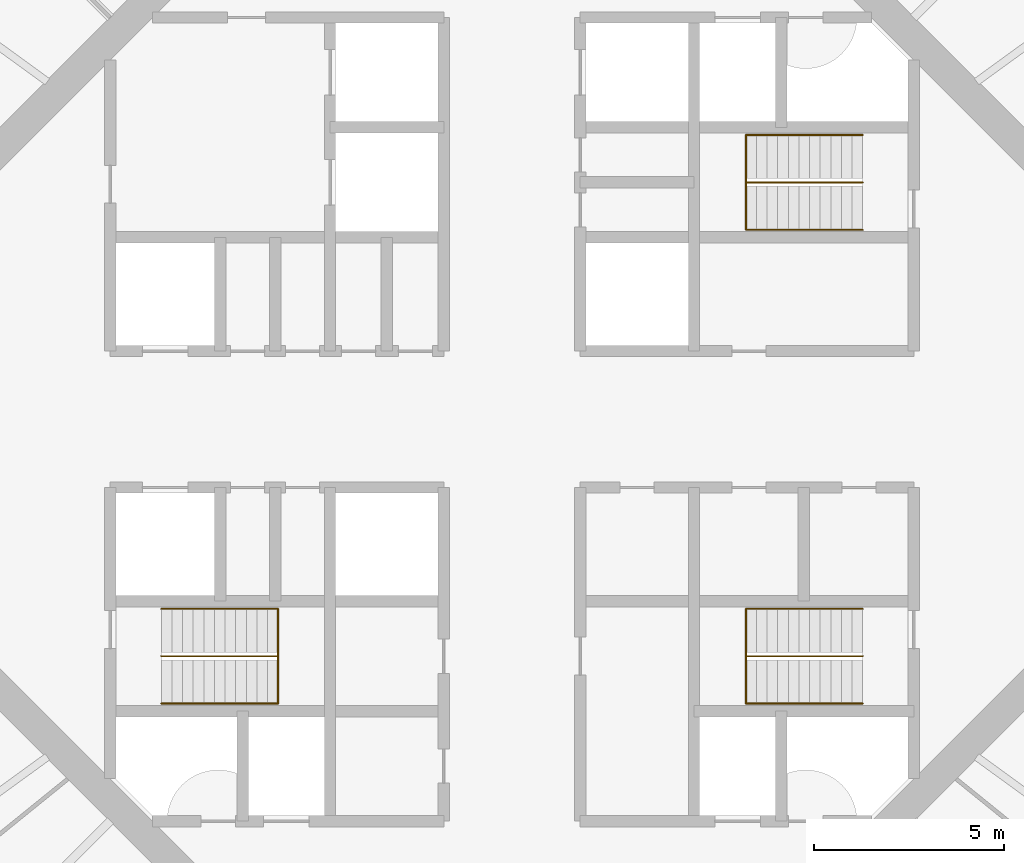
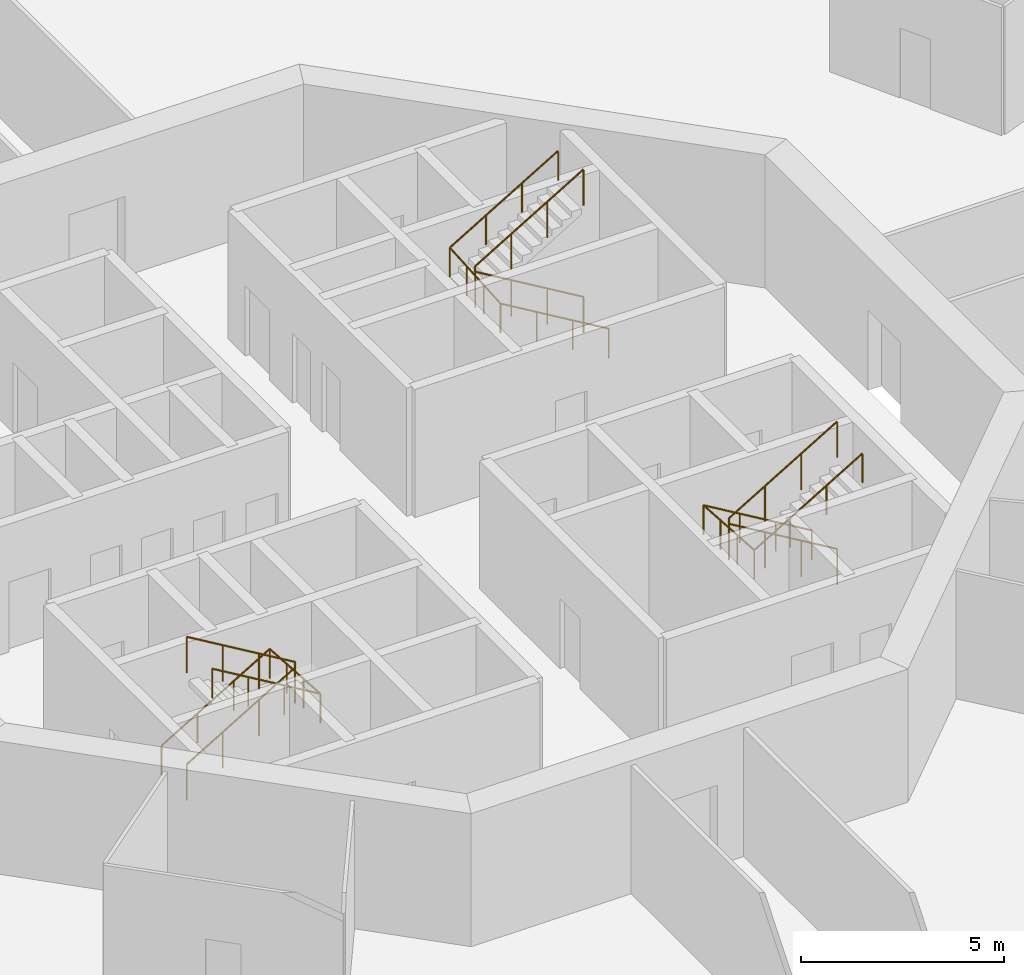
# One storey, part 12 of 12: 6 railings.
"""IFC4 building model written with IfcOpenShell, lengths in metres."""

from ifc_helpers import new_model, si_unit, direction, frame, origin, origin_2d, place, context, subcontext, project, spatial, circle, extrude, material, type_object, element, save


model = new_model("IFC4")

# Units and contexts
model_context = context("Model", 3, precision=1e-05, world=origin(), true_north=direction((0.0, 1.0)))
body_context = subcontext(model_context, "Body", "Model", "MODEL_VIEW")
ifc_project = project(units=[si_unit("LENGTHUNIT", "METRE"), si_unit("AREAUNIT", "SQUARE_METRE"), si_unit("VOLUMEUNIT", "CUBIC_METRE"), si_unit("PLANEANGLEUNIT", "RADIAN"), si_unit("MASSUNIT", "GRAM", prefix="KILO")], contexts=[model_context])

# Site, building, storey
site_placement = place(None, origin())
site = spatial("IfcSite", under=ifc_project, at=site_placement, CompositionType="ELEMENT")
building_placement = place(site_placement, origin())
building = spatial("IfcBuilding", under=site, at=building_placement, Name="Entoto Ring Tower", CompositionType="ELEMENT")
storey_placement = place(building_placement, frame((0.0, 0.0, 322.0)))
storey = spatial("IfcBuildingStorey", under=building, at=storey_placement, Name="L74", CompositionType="ELEMENT", Elevation=322.0)

# Railings
ifc_material_1 = material(Name="Steel S275", Category="steel")
railing_type_1 = type_object("IfcRailingType", Name="Stair guard 1100 mm steel", PredefinedType="GUARDRAIL", material=ifc_material_1)
railing_1_placement = place(storey_placement, frame((99.25, 86.25, 0.166748046875)))
element("IfcRailing", 1, at=railing_1_placement, inside=storey, type_object=railing_type_1, Name="Guard ST1", PredefinedType="GUARDRAIL", context=body_context, shape_type="SweptSolid", body=[
    extrude(circle(Radius=0.02392578125, at=origin_2d()), frame((0.0, 0.0, 1.076171875), z_axis=(-0.859308565015, 0.0, 0.511457515432), x_axis=(0.0, -1.0, 0.0)), (0.0, 0.0, 1.0), 3.58447265625),
    extrude(circle(Radius=0.02392578125, at=origin_2d()), frame((-3.080078125, 0.0, 2.9091796875), z_axis=(0.0, 0.0, 1.0), x_axis=(1.0, 0.0, 0.0)), (0.0, 0.0, 1.0), 0.166748046875),
    extrude(circle(Radius=0.02392578125, at=origin_2d()), frame((-3.080078125, 0.0, 3.076171875), z_axis=(0.859308565015, 0.0, 0.511457515432), x_axis=(0.0, 1.0, 0.0)), (0.0, 0.0, 1.0), 3.58447265625),
    extrude(circle(Radius=0.02099609375, at=origin_2d()), origin(), (0.0, 0.0, 1.0), 1.052001953125),
    extrude(circle(Radius=0.02099609375, at=origin_2d()), frame((-1.026611328125, 0.0, 0.611083984375)), (0.0, 0.0, 1.0), 1.052001953125),
    extrude(circle(Radius=0.02099609375, at=origin_2d()), frame((-2.053466796875, 0.0, 1.22216796875)), (0.0, 0.0, 1.0), 1.052001953125),
    extrude(circle(Radius=0.02099609375, at=origin_2d()), frame((-3.080078125, 0.0, 1.833251953125)), (0.0, 0.0, 1.0), 1.052001953125),
    extrude(circle(Radius=0.02099609375, at=origin_2d()), frame((-3.080078125, 0.0, 2.0)), (0.0, 0.0, 1.0), 1.052001953125),
    extrude(circle(Radius=0.02099609375, at=origin_2d()), frame((-2.053466796875, 0.0, 2.611083984375)), (0.0, 0.0, 1.0), 1.052001953125),
    extrude(circle(Radius=0.02099609375, at=origin_2d()), frame((-1.026611328125, 0.0, 3.22216796875)), (0.0, 0.0, 1.0), 1.052001953125),
    extrude(circle(Radius=0.02099609375, at=origin_2d()), frame((0.0, 0.0, 3.833251953125)), (0.0, 0.0, 1.0), 1.052001953125),
])
railing_2_placement = place(storey_placement, frame((80.75, 73.75, 0.166748046875)))
element("IfcRailing", 2, at=railing_2_placement, inside=storey, type_object=railing_type_1, Name="Guard ST2", PredefinedType="GUARDRAIL", context=body_context, shape_type="SweptSolid", body=[
    extrude(circle(Radius=0.02392578125, at=origin_2d()), frame((0.0, 0.0, 1.076171875), z_axis=(0.859308565015, 0.0, 0.511457515432), x_axis=(0.0, 1.0, 0.0)), (0.0, 0.0, 1.0), 3.58447265625),
    extrude(circle(Radius=0.02392578125, at=origin_2d()), frame((3.080078125, 0.0, 2.9091796875), z_axis=(0.0, 0.0, 1.0), x_axis=(1.0, 0.0, 0.0)), (0.0, 0.0, 1.0), 0.166748046875),
    extrude(circle(Radius=0.02392578125, at=origin_2d()), frame((3.080078125, 0.0, 3.076171875), z_axis=(-0.859308565015, 0.0, 0.511457515432), x_axis=(0.0, -1.0, 0.0)), (0.0, 0.0, 1.0), 3.58447265625),
    extrude(circle(Radius=0.02099609375, at=origin_2d()), origin(), (0.0, 0.0, 1.0), 1.052001953125),
    extrude(circle(Radius=0.02099609375, at=origin_2d()), frame((1.026611328125, 0.0, 0.611083984375)), (0.0, 0.0, 1.0), 1.052001953125),
    extrude(circle(Radius=0.02099609375, at=origin_2d()), frame((2.053466796875, 0.0, 1.22216796875)), (0.0, 0.0, 1.0), 1.052001953125),
    extrude(circle(Radius=0.02099609375, at=origin_2d()), frame((3.080078125, 0.0, 1.833251953125)), (0.0, 0.0, 1.0), 1.052001953125),
    extrude(circle(Radius=0.02099609375, at=origin_2d()), frame((3.080078125, 0.0, 2.0)), (0.0, 0.0, 1.0), 1.052001953125),
    extrude(circle(Radius=0.02099609375, at=origin_2d()), frame((2.053466796875, 0.0, 2.611083984375)), (0.0, 0.0, 1.0), 1.052001953125),
    extrude(circle(Radius=0.02099609375, at=origin_2d()), frame((1.026611328125, 0.0, 3.22216796875)), (0.0, 0.0, 1.0), 1.052001953125),
    extrude(circle(Radius=0.02099609375, at=origin_2d()), frame((0.0, 0.0, 3.833251953125)), (0.0, 0.0, 1.0), 1.052001953125),
])
railing_3_placement = place(storey_placement, frame((99.25, 73.75, 0.166748046875)))
element("IfcRailing", 3, at=railing_3_placement, inside=storey, type_object=railing_type_1, Name="Guard ST3", PredefinedType="GUARDRAIL", context=body_context, shape_type="SweptSolid", body=[
    extrude(circle(Radius=0.02392578125, at=origin_2d()), frame((0.0, 0.0, 1.076171875), z_axis=(-0.859308565015, 0.0, 0.511457515432), x_axis=(0.0, -1.0, 0.0)), (0.0, 0.0, 1.0), 3.58447265625),
    extrude(circle(Radius=0.02392578125, at=origin_2d()), frame((-3.080078125, 0.0, 2.9091796875), z_axis=(0.0, 0.0, 1.0), x_axis=(1.0, 0.0, 0.0)), (0.0, 0.0, 1.0), 0.166748046875),
    extrude(circle(Radius=0.02392578125, at=origin_2d()), frame((-3.080078125, 0.0, 3.076171875), z_axis=(0.859308565015, 0.0, 0.511457515432), x_axis=(0.0, 1.0, 0.0)), (0.0, 0.0, 1.0), 3.58447265625),
    extrude(circle(Radius=0.02099609375, at=origin_2d()), origin(), (0.0, 0.0, 1.0), 1.052001953125),
    extrude(circle(Radius=0.02099609375, at=origin_2d()), frame((-1.026611328125, 0.0, 0.611083984375)), (0.0, 0.0, 1.0), 1.052001953125),
    extrude(circle(Radius=0.02099609375, at=origin_2d()), frame((-2.053466796875, 0.0, 1.22216796875)), (0.0, 0.0, 1.0), 1.052001953125),
    extrude(circle(Radius=0.02099609375, at=origin_2d()), frame((-3.080078125, 0.0, 1.833251953125)), (0.0, 0.0, 1.0), 1.052001953125),
    extrude(circle(Radius=0.02099609375, at=origin_2d()), frame((-3.080078125, 0.0, 2.0)), (0.0, 0.0, 1.0), 1.052001953125),
    extrude(circle(Radius=0.02099609375, at=origin_2d()), frame((-2.053466796875, 0.0, 2.611083984375)), (0.0, 0.0, 1.0), 1.052001953125),
    extrude(circle(Radius=0.02099609375, at=origin_2d()), frame((-1.026611328125, 0.0, 3.22216796875)), (0.0, 0.0, 1.0), 1.052001953125),
    extrude(circle(Radius=0.02099609375, at=origin_2d()), frame((0.0, 0.0, 3.833251953125)), (0.0, 0.0, 1.0), 1.052001953125),
])
ifc_material_2 = material(Name="Steel S275", Category="steel")
railing_type_2 = type_object("IfcRailingType", Name="Stair handrail 900 mm steel", PredefinedType="HANDRAIL", material=ifc_material_2)
railing_4_placement = place(storey_placement, frame((99.25, 85.0, 0.166748046875)))
element("IfcRailing", 4, at=railing_4_placement, inside=storey, type_object=railing_type_2, Name="Handrail ST1", PredefinedType="HANDRAIL", context=body_context, shape_type="SweptSolid", body=[
    extrude(circle(Radius=0.02392578125, at=origin_2d()), frame((0.0, 0.0, 0.8759765625), z_axis=(-0.859308565015, 0.0, 0.511457515432), x_axis=(0.0, -1.0, 0.0)), (0.0, 0.0, 1.0), 3.58447265625),
    extrude(circle(Radius=0.02392578125, at=origin_2d()), frame((-3.080078125, 0.0, 2.708984375), z_axis=(0.0, 0.997783001586, 0.066551346688), x_axis=(-1.0, 0.0, 0.0)), (0.0, 0.0, 1.0), 2.505615234375),
    extrude(circle(Radius=0.02392578125, at=origin_2d()), frame((-3.080078125, 2.5, 2.8759765625), z_axis=(0.859308565015, 0.0, 0.511457515432), x_axis=(0.0, 1.0, 0.0)), (0.0, 0.0, 1.0), 3.58447265625),
    extrude(circle(Radius=0.02099609375, at=origin_2d()), origin(), (0.0, 0.0, 1.0), 0.851806640625),
    extrude(circle(Radius=0.02099609375, at=origin_2d()), frame((-1.026611328125, 0.0, 0.611083984375)), (0.0, 0.0, 1.0), 0.851806640625),
    extrude(circle(Radius=0.02099609375, at=origin_2d()), frame((-2.053466796875, 0.0, 1.22216796875)), (0.0, 0.0, 1.0), 0.851806640625),
    extrude(circle(Radius=0.02099609375, at=origin_2d()), frame((-3.080078125, 0.0, 1.833251953125)), (0.0, 0.0, 1.0), 0.851806640625),
    extrude(circle(Radius=0.02099609375, at=origin_2d()), frame((-3.080078125, 0.833251953125, 1.888916015625)), (0.0, 0.0, 1.0), 0.851806640625),
    extrude(circle(Radius=0.02099609375, at=origin_2d()), frame((-3.080078125, 1.666748046875, 1.9443359375)), (0.0, 0.0, 1.0), 0.851806640625),
    extrude(circle(Radius=0.02099609375, at=origin_2d()), frame((-3.080078125, 2.5, 2.0)), (0.0, 0.0, 1.0), 0.851806640625),
    extrude(circle(Radius=0.02099609375, at=origin_2d()), frame((-2.053466796875, 2.5, 2.611083984375)), (0.0, 0.0, 1.0), 0.851806640625),
    extrude(circle(Radius=0.02099609375, at=origin_2d()), frame((-1.026611328125, 2.5, 3.22216796875)), (0.0, 0.0, 1.0), 0.851806640625),
    extrude(circle(Radius=0.02099609375, at=origin_2d()), frame((0.0, 2.5, 3.833251953125)), (0.0, 0.0, 1.0), 0.851806640625),
])
railing_5_placement = place(storey_placement, frame((80.75, 75.0, 0.166748046875)))
element("IfcRailing", 5, at=railing_5_placement, inside=storey, type_object=railing_type_2, Name="Handrail ST2", PredefinedType="HANDRAIL", context=body_context, shape_type="SweptSolid", body=[
    extrude(circle(Radius=0.02392578125, at=origin_2d()), frame((0.0, 0.0, 0.8759765625), z_axis=(0.859308565015, 0.0, 0.511457515432), x_axis=(0.0, 1.0, 0.0)), (0.0, 0.0, 1.0), 3.58447265625),
    extrude(circle(Radius=0.02392578125, at=origin_2d()), frame((3.080078125, 0.0, 2.708984375), z_axis=(0.0, -0.997783001586, 0.066551346688), x_axis=(1.0, 0.0, 0.0)), (0.0, 0.0, 1.0), 2.505615234375),
    extrude(circle(Radius=0.02392578125, at=origin_2d()), frame((3.080078125, -2.5, 2.8759765625), z_axis=(-0.859308565015, 0.0, 0.511457515432), x_axis=(0.0, -1.0, 0.0)), (0.0, 0.0, 1.0), 3.58447265625),
    extrude(circle(Radius=0.02099609375, at=origin_2d()), origin(), (0.0, 0.0, 1.0), 0.851806640625),
    extrude(circle(Radius=0.02099609375, at=origin_2d()), frame((1.026611328125, 0.0, 0.611083984375)), (0.0, 0.0, 1.0), 0.851806640625),
    extrude(circle(Radius=0.02099609375, at=origin_2d()), frame((2.053466796875, 0.0, 1.22216796875)), (0.0, 0.0, 1.0), 0.851806640625),
    extrude(circle(Radius=0.02099609375, at=origin_2d()), frame((3.080078125, 0.0, 1.833251953125)), (0.0, 0.0, 1.0), 0.851806640625),
    extrude(circle(Radius=0.02099609375, at=origin_2d()), frame((3.080078125, -0.833251953125, 1.888916015625)), (0.0, 0.0, 1.0), 0.851806640625),
    extrude(circle(Radius=0.02099609375, at=origin_2d()), frame((3.080078125, -1.666748046875, 1.9443359375)), (0.0, 0.0, 1.0), 0.851806640625),
    extrude(circle(Radius=0.02099609375, at=origin_2d()), frame((3.080078125, -2.5, 2.0)), (0.0, 0.0, 1.0), 0.851806640625),
    extrude(circle(Radius=0.02099609375, at=origin_2d()), frame((2.053466796875, -2.5, 2.611083984375)), (0.0, 0.0, 1.0), 0.851806640625),
    extrude(circle(Radius=0.02099609375, at=origin_2d()), frame((1.026611328125, -2.5, 3.22216796875)), (0.0, 0.0, 1.0), 0.851806640625),
    extrude(circle(Radius=0.02099609375, at=origin_2d()), frame((0.0, -2.5, 3.833251953125)), (0.0, 0.0, 1.0), 0.851806640625),
])
railing_6_placement = place(storey_placement, frame((99.25, 75.0, 0.166748046875)))
element("IfcRailing", 6, at=railing_6_placement, inside=storey, type_object=railing_type_2, Name="Handrail ST3", PredefinedType="HANDRAIL", context=body_context, shape_type="SweptSolid", body=[
    extrude(circle(Radius=0.02392578125, at=origin_2d()), frame((0.0, 0.0, 0.8759765625), z_axis=(-0.859308565015, 0.0, 0.511457515432), x_axis=(0.0, -1.0, 0.0)), (0.0, 0.0, 1.0), 3.58447265625),
    extrude(circle(Radius=0.02392578125, at=origin_2d()), frame((-3.080078125, 0.0, 2.708984375), z_axis=(0.0, -0.997783001586, 0.066551346688), x_axis=(1.0, 0.0, 0.0)), (0.0, 0.0, 1.0), 2.505615234375),
    extrude(circle(Radius=0.02392578125, at=origin_2d()), frame((-3.080078125, -2.5, 2.8759765625), z_axis=(0.859308565015, 0.0, 0.511457515432), x_axis=(0.0, 1.0, 0.0)), (0.0, 0.0, 1.0), 3.58447265625),
    extrude(circle(Radius=0.02099609375, at=origin_2d()), origin(), (0.0, 0.0, 1.0), 0.851806640625),
    extrude(circle(Radius=0.02099609375, at=origin_2d()), frame((-1.026611328125, 0.0, 0.611083984375)), (0.0, 0.0, 1.0), 0.851806640625),
    extrude(circle(Radius=0.02099609375, at=origin_2d()), frame((-2.053466796875, 0.0, 1.22216796875)), (0.0, 0.0, 1.0), 0.851806640625),
    extrude(circle(Radius=0.02099609375, at=origin_2d()), frame((-3.080078125, 0.0, 1.833251953125)), (0.0, 0.0, 1.0), 0.851806640625),
    extrude(circle(Radius=0.02099609375, at=origin_2d()), frame((-3.080078125, -0.833251953125, 1.888916015625)), (0.0, 0.0, 1.0), 0.851806640625),
    extrude(circle(Radius=0.02099609375, at=origin_2d()), frame((-3.080078125, -1.666748046875, 1.9443359375)), (0.0, 0.0, 1.0), 0.851806640625),
    extrude(circle(Radius=0.02099609375, at=origin_2d()), frame((-3.080078125, -2.5, 2.0)), (0.0, 0.0, 1.0), 0.851806640625),
    extrude(circle(Radius=0.02099609375, at=origin_2d()), frame((-2.053466796875, -2.5, 2.611083984375)), (0.0, 0.0, 1.0), 0.851806640625),
    extrude(circle(Radius=0.02099609375, at=origin_2d()), frame((-1.026611328125, -2.5, 3.22216796875)), (0.0, 0.0, 1.0), 0.851806640625),
    extrude(circle(Radius=0.02099609375, at=origin_2d()), frame((0.0, -2.5, 3.833251953125)), (0.0, 0.0, 1.0), 0.851806640625),
])

save(model, "model.ifc")
